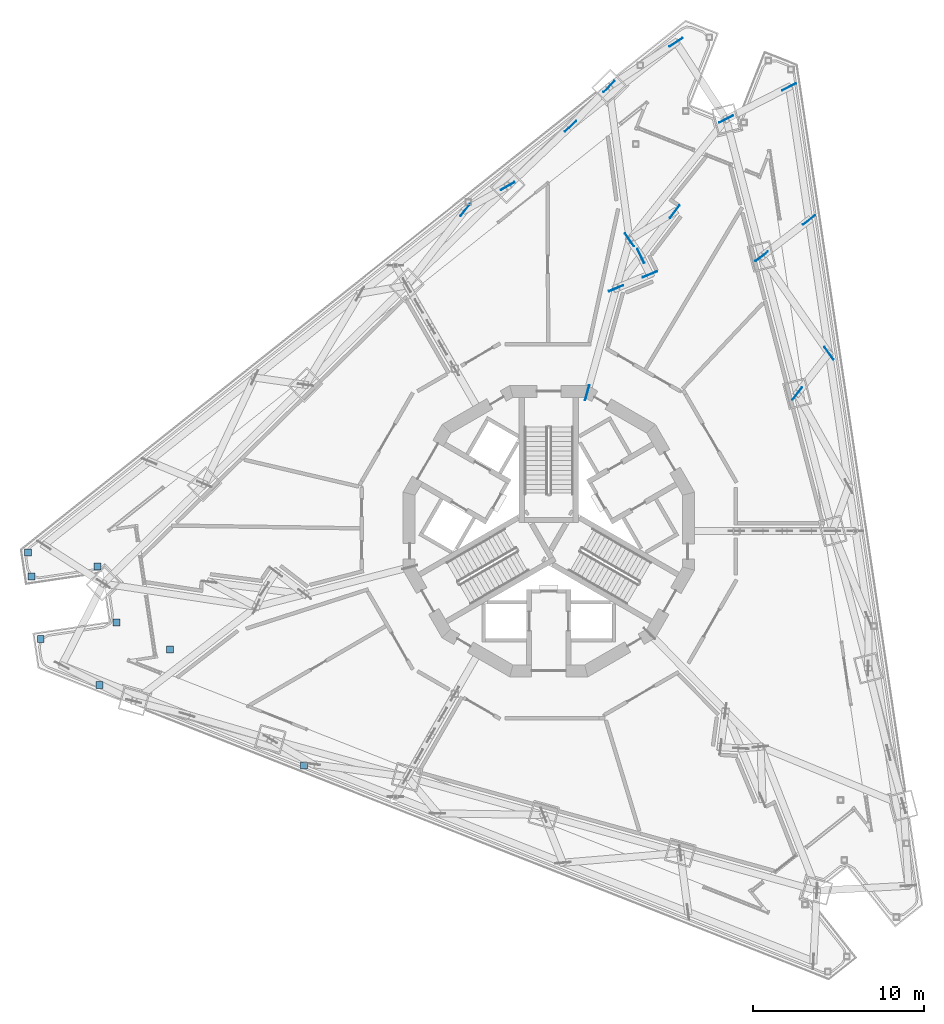
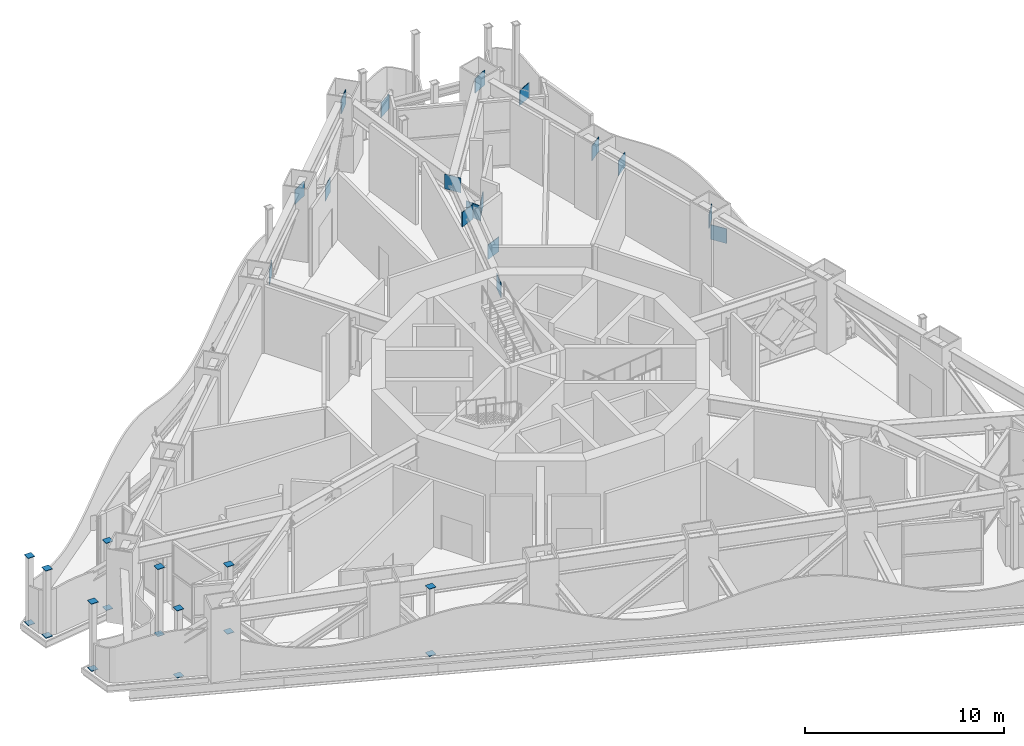
# One storey, part 16 of 27: 33 discrete accessories.
"""IFC4 building model written with IfcOpenShell, lengths in metres."""

from ifc_helpers import new_model, si_unit, direction, frame, origin, origin_2d, place, context, subcontext, project, spatial, rectangle, extrude, material, element, save


model = new_model("IFC4")

# Units and contexts
model_context = context("Model", 3, precision=1e-05, world=origin(), true_north=direction((0.0, 1.0)))
body_context = subcontext(model_context, "Body", "Model", "MODEL_VIEW")
ifc_project = project(units=[si_unit("LENGTHUNIT", "METRE"), si_unit("AREAUNIT", "SQUARE_METRE"), si_unit("VOLUMEUNIT", "CUBIC_METRE"), si_unit("PLANEANGLEUNIT", "RADIAN"), si_unit("MASSUNIT", "GRAM", prefix="KILO")], contexts=[model_context])

# Site, building, storey
site_placement = place(None, origin())
site = spatial("IfcSite", under=ifc_project, at=site_placement, CompositionType="ELEMENT")
building_placement = place(site_placement, origin())
building = spatial("IfcBuilding", under=site, at=building_placement, Name="Trine Commons Tower", CompositionType="ELEMENT")
storey_placement = place(building_placement, frame((0.0, 0.0, 230.39990234375)))
storey = spatial("IfcBuildingStorey", under=building, at=storey_placement, Name="L60", CompositionType="ELEMENT", Elevation=230.39990234375)

# Discrete accessories
ifc_material = material(Name="Structural steel ASTM A572 Gr50", Category="steel")
for number, where, z_axis, x_axis, name in (
    (1, (75.13134765625, 81.231689453125, 0.0185546875), (0.0, 0.0, 1.0), (-0.613113894745, -0.789994526608, 0.0), "Gusset plate GP6-14"),
    (2, (81.275390625, 86.118896484375, 0.0185546875), (0.0, 0.0, 1.0), (-0.723617966052, -0.690200723852, 0.0), "Gusset plate GP6-16"),
    (3, (85.8984375, 77.47412109375, 0.0185546875), (0.0, 0.0, 1.0), (-0.924692285974, -0.380715348075, 0.0), "Gusset plate GP6-17"),
    (4, (87.336669921875, 81.125244140625, 0.0185546875), (0.0, 0.0, 1.0), (-0.60704302283, -0.794668967831, 0.0), "Gusset plate GP6-18"),
    (5, (87.419189453125, 91.006103515625, 0.0185546875), (0.0, 0.0, 1.0), (-0.834097689179, -0.551616755463, 0.0), "Gusset plate GP6-19"),
    (6, (94.014892578125, 88.407958984375, 0.0185546875), (0.0, 0.0, 1.0), (-0.890053735209, -0.455855622363, 0.0), "Gusset plate GP6-23"),
    (7, (95.17529296875, 80.6435546875, 0.0185546875), (0.0, 0.0, 1.0), (-0.793098273307, -0.609093694663, 0.0), "Gusset plate GP6-24"),
    (8, (96.335693359375, 72.879150390625, 0.0185546875), (0.0, 0.0, 1.0), (-0.570985839689, 0.820959908202, 0.0), "Gusset plate GP6-26"),
    (9, (85.365478515625, 78.544921875, 1.8544921875), (0.0, 0.0, 1.0), (-0.445510421354, 0.895276753001, 0.0), "Gusset plate GP6-50"),
    (10, (77.612548828125, 82.625244140625, 3.19384765625), (0.0, 0.0, 1.0), (0.871906939119, 0.489671613958, 0.0), "Gusset plate GP6-69"),
    (11, (82.239501953125, 70.574951171875, 3.19384765625), (0.0, 0.0, 1.0), (0.267238376078, 0.963630453209, 0.0), "Gusset plate GP6-71"),
    (12, (83.51025390625, 88.4208984375, 3.19384765625), (0.0, 0.0, 1.0), (0.696589305505, 0.717470096559, 0.0), "Gusset plate GP6-72"),
    (13, (83.927734375, 76.66259765625, 3.19384765625), (0.0, 0.0, 1.0), (-0.924692285974, -0.380715348075, 0.0), "Gusset plate GP6-73"),
    (14, (84.709716796875, 79.48291015625, 3.19384765625), (0.0, 0.0, 1.0), (-0.573033028033, 0.8195322744, 0.0), "Gusset plate GP6-74"),
    (15, (90.34130859375, 86.5263671875, 3.19384765625), (0.0, 0.0, 1.0), (-0.890053735209, -0.455855622363, 0.0), "Gusset plate GP6-78"),
    (16, (92.41162109375, 78.52099609375, 3.19384765625), (0.0, 0.0, 1.0), (-0.793098273307, -0.609093694663, 0.0), "Gusset plate GP6-80"),
    (17, (94.48193359375, 70.515625, 3.19384765625), (0.0, 0.0, 1.0), (-0.617132012785, -0.786859630935, 0.0), "Gusset plate GP6-81"),
):
    element("IfcDiscreteAccessory", number, at=place(storey_placement, frame(where, z_axis=z_axis, x_axis=x_axis)), inside=storey, material=ifc_material, Name=name, PredefinedType="BRACKET", context=body_context, shape_type="SweptSolid", body=[
        extrude(rectangle(XDim=0.89990234375, YDim=0.0400390625, at=origin_2d()), origin(), (0.0, 0.0, 1.0), 0.89990234375),
    ])
for number, where, z_axis, x_axis, name in (
    (18, (50.37451171875, 56.201904296875, 0.0), (0.0, 0.0, 1.0), (1.0, 0.0, 0.0), "Post base plate SP6-11"),
    (19, (50.37451171875, 56.201904296875, 4.1201171875), (0.0, 0.0, 1.0), (1.0, 0.0, 0.0), "Post cap plate SP6-11"),
    (20, (57.91845703125, 55.6015625, 0.0), (0.0, 0.0, 1.0), (1.0, 0.0, 0.0), "Post base plate SP6-12"),
    (21, (57.91845703125, 55.6015625, 4.1201171875), (0.0, 0.0, 1.0), (1.0, 0.0, 0.0), "Post cap plate SP6-12"),
    (22, (53.804443359375, 53.53662109375, 0.0), (0.0, 0.0, 1.0), (1.0, 0.0, 0.0), "Post base plate SP6-13"),
    (23, (53.804443359375, 53.53662109375, 4.1201171875), (0.0, 0.0, 1.0), (1.0, 0.0, 0.0), "Post cap plate SP6-13"),
    (24, (54.780517578125, 57.16552734375, 0.0), (0.0, 0.0, 1.0), (1.0, 0.0, 0.0), "Post base plate SP6-14"),
    (25, (54.780517578125, 57.16552734375, 4.1201171875), (0.0, 0.0, 1.0), (1.0, 0.0, 0.0), "Post cap plate SP6-14"),
    (26, (49.82763671875, 59.861328125, 0.0), (0.0, 0.0, 1.0), (1.0, 0.0, 0.0), "Post base plate SP6-21"),
    (27, (49.82763671875, 59.861328125, 4.1201171875), (0.0, 0.0, 1.0), (1.0, 0.0, 0.0), "Post cap plate SP6-21"),
    (28, (49.618896484375, 61.2578125, 0.0), (0.0, 0.0, 1.0), (1.0, 0.0, 0.0), "Post base plate SP6-22"),
    (29, (49.618896484375, 61.2578125, 4.1201171875), (0.0, 0.0, 1.0), (1.0, 0.0, 0.0), "Post cap plate SP6-22"),
    (30, (53.677978515625, 60.436767578125, 0.0), (0.0, 0.0, 1.0), (1.0, 0.0, 0.0), "Post base plate SP6-24"),
    (31, (53.677978515625, 60.436767578125, 4.1201171875), (0.0, 0.0, 1.0), (1.0, 0.0, 0.0), "Post cap plate SP6-24"),
    (32, (65.72998046875, 48.839111328125, 0.0), (0.0, 0.0, 1.0), (1.0, 0.0, 0.0), "Post base plate SP6-33"),
    (33, (65.72998046875, 48.839111328125, 4.1201171875), (0.0, 0.0, 1.0), (1.0, 0.0, 0.0), "Post cap plate SP6-33"),
):
    element("IfcDiscreteAccessory", number, at=place(storey_placement, frame(where, z_axis=z_axis, x_axis=x_axis)), inside=storey, material=ifc_material, Name=name, PredefinedType="BRACKET", context=body_context, shape_type="SweptSolid", body=[
        extrude(rectangle(XDim=0.39990234375, YDim=0.39990234375, at=origin_2d()), origin(), (0.0, 0.0, 1.0), 0.030029296875),
    ])

save(model, "model.ifc")
